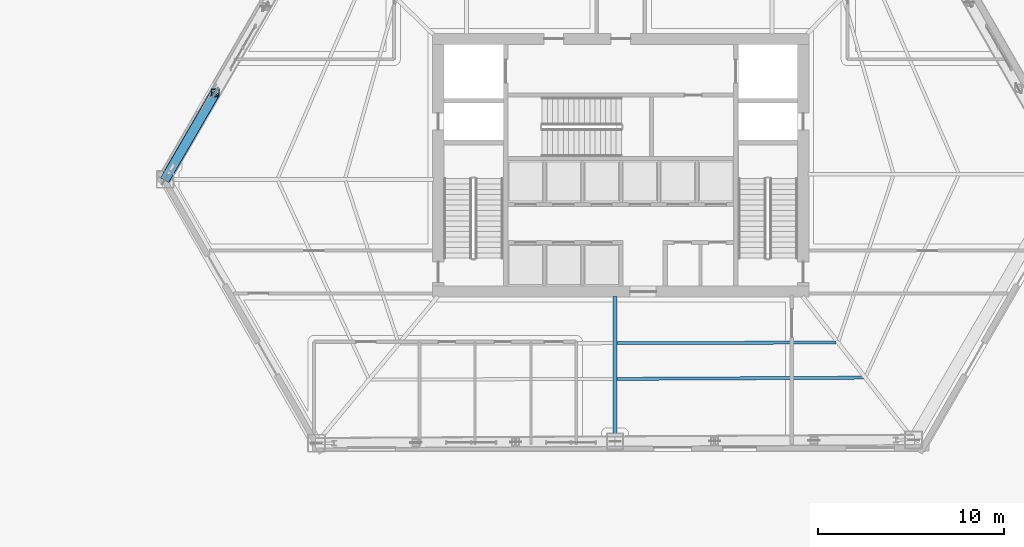
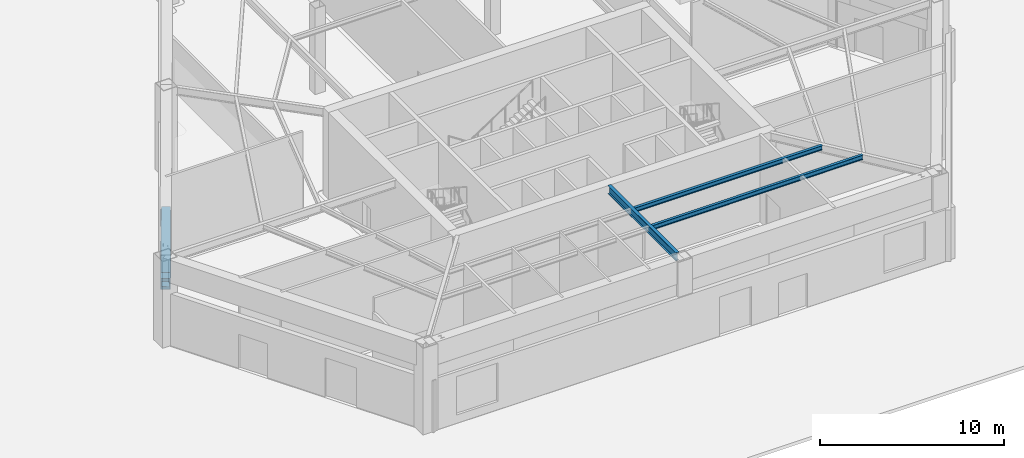
# One storey, part 5 of 20: 4 beams, 2 members.
"""IFC4 building model written with IfcOpenShell, lengths in metres."""

from ifc_helpers import new_model, si_unit, direction, frame, origin, origin_2d, place, context, subcontext, project, spatial, hollow_rectangle, i_section, extrude, material, material_profile, profile_set, type_object, element, save


model = new_model("IFC4")

# Units and contexts
model_context = context("Model", 3, precision=1e-05, world=origin(), true_north=direction((0.0, 1.0)))
body_context = subcontext(model_context, "Body", "Model", "MODEL_VIEW")
ifc_project = project(units=[si_unit("LENGTHUNIT", "METRE"), si_unit("AREAUNIT", "SQUARE_METRE"), si_unit("VOLUMEUNIT", "CUBIC_METRE"), si_unit("PLANEANGLEUNIT", "RADIAN"), si_unit("MASSUNIT", "GRAM", prefix="KILO")], contexts=[model_context])

# Site, building, storey
site_placement = place(None, origin())
site = spatial("IfcSite", under=ifc_project, at=site_placement, CompositionType="ELEMENT")
building_placement = place(site_placement, origin())
building = spatial("IfcBuilding", under=site, at=building_placement, Name="Kavelnor Concourse Tower", CompositionType="ELEMENT")
storey_placement = place(building_placement, origin())
storey = spatial("IfcBuildingStorey", under=building, at=storey_placement, Name="L00", CompositionType="ELEMENT", Elevation=0.0)

# Beams
ifc_material = material(Name="Steel Grade 350", Category="steel")
ifc_material_profile_1 = material_profile(ifc_material, i_section(OverallWidth=0.166015625, OverallDepth=0.306884765625, WebThickness=0.006591796875, FlangeThickness=0.01171875, at=origin_2d()), Name="310UB46")
ifc_profile_set_1 = profile_set([ifc_material_profile_1], Name="Steel Grade 350")
beam_type_1 = type_object("IfcBeamType", Name="BM-JOIST-310", PredefinedType="JOIST", material=ifc_profile_set_1)
beam_1_placement = place(storey_placement, frame((37.782958984375, 6.5244140625, 5.58642578125), z_axis=(0.999995630485, 0.002956181654, 0.0), x_axis=(-0.002956181654, 0.999995630485, 0.0)))
element("IfcBeam", 1, at=beam_1_placement, inside=storey, type_object=beam_type_1, Name="L00 Composite Floor Joist 03-1", PredefinedType="JOIST", context=body_context, shape_type="SweptSolid", body=[
    extrude(i_section(OverallWidth=0.166015625, OverallDepth=0.306884765625, WebThickness=0.006591796875, FlangeThickness=0.01171875, at=origin_2d()), origin(), (0.0, 0.0, 1.0), 11.809814453125),
])
beam_2_placement = place(storey_placement, frame((37.782958984375, 4.6005859375, 5.58642578125), z_axis=(0.999986830206, 0.005132193915, 0.0), x_axis=(-0.005132193915, 0.999986830206, 0.0)))
element("IfcBeam", 2, at=beam_2_placement, inside=storey, type_object=beam_type_1, Name="L00 Composite Floor Joist 03-2", PredefinedType="JOIST", context=body_context, shape_type="SweptSolid", body=[
    extrude(i_section(OverallWidth=0.166015625, OverallDepth=0.306884765625, WebThickness=0.006591796875, FlangeThickness=0.01171875, at=origin_2d()), origin(), (0.0, 0.0, 1.0), 13.272216796875),
])
ifc_material_profile_2 = material_profile(ifc_material, i_section(OverallWidth=0.208984375, OverallDepth=0.528076171875, WebThickness=0.009521484375, FlangeThickness=0.01318359375, at=origin_2d()), Name="530UB82")
ifc_profile_set_2 = profile_set([ifc_material_profile_2], Name="Steel Grade 350")
beam_type_2 = type_object("IfcBeamType", Name="BM-PRIMARY-530", PredefinedType="BEAM", material=ifc_profile_set_2)
beam_3_placement = place(storey_placement, frame((37.68505859375, 9.0400390625, 5.47607421875), z_axis=(0.0, -1.0, 0.0), x_axis=(1.0, 0.0, 0.0)))
element("IfcBeam", 3, at=beam_3_placement, inside=storey, type_object=beam_type_2, Name="L00 Primary Floor Girder MC-F1", PredefinedType="BEAM", context=body_context, shape_type="SweptSolid", body=[
    extrude(i_section(OverallWidth=0.208984375, OverallDepth=0.528076171875, WebThickness=0.009521484375, FlangeThickness=0.01318359375, at=origin_2d()), origin(), (0.0, 0.0, 1.0), 7.400146484375),
])
ifc_material_profile_3 = material_profile(ifc_material, hollow_rectangle(XDim=0.550048828125, YDim=0.75, WallThickness=0.034912109375, at=origin_2d()), Name="RHS 750x550x35")
ifc_profile_set_3 = profile_set([ifc_material_profile_3], Name="Steel Grade 350")
beam_type_3 = type_object("IfcBeamType", Name="BM-XFER-CHORD-750", PredefinedType="BEAM", material=ifc_profile_set_3)
beam_4_placement = place(storey_placement, frame((16.182373046875, 19.990966796875, 3.81494140625), z_axis=(-0.502371976263, -0.864651604674, 0.0), x_axis=(0.864651604674, -0.502371976263, 0.0)))
element("IfcBeam", 4, at=beam_4_placement, inside=storey, type_object=beam_type_3, Name="L00 Concourse Transfer Truss Bottom Chord F0-B5", PredefinedType="BEAM", context=body_context, shape_type="SweptSolid", body=[
    extrude(hollow_rectangle(XDim=0.550048828125, YDim=0.75, WallThickness=0.034912109375, at=origin_2d()), origin(), (0.0, 0.0, 1.0), 5.379638671875),
])

# Members
ifc_material_profile_4 = material_profile(ifc_material, hollow_rectangle(XDim=0.5, YDim=0.5, WallThickness=0.031982421875, at=origin_2d()), Name="SHS 500x500x32")
ifc_profile_set_4 = profile_set([ifc_material_profile_4], Name="Steel Grade 350")
member_type_1 = type_object("IfcMemberType", Name="MBR-XFER-DIAG-500", PredefinedType="BRACE", material=ifc_profile_set_4)
member_1_placement = place(storey_placement, frame((13.479736328125, 15.33935546875, 3.81494140625), z_axis=(0.49099059447, 0.845062673572, 0.211653759423), x_axis=(-0.864651604674, 0.502371976263, 0.0)))
element("IfcMember", 5, at=member_1_placement, inside=storey, type_object=member_type_1, Name="L00 Concourse Transfer Truss Diagonal F0-B5", PredefinedType="BRACE", context=body_context, shape_type="SweptSolid", body=[
    extrude(hollow_rectangle(XDim=0.5, YDim=0.5, WallThickness=0.031982421875, at=origin_2d()), origin(), (0.0, 0.0, 1.0), 5.50439453125),
])
ifc_material_profile_5 = material_profile(ifc_material, hollow_rectangle(XDim=0.419921875, YDim=0.419921875, WallThickness=0.028076171875, at=origin_2d()), Name="SHS 420x420x28")
ifc_profile_set_5 = profile_set([ifc_material_profile_5], Name="Steel Grade 350")
member_type_2 = type_object("IfcMemberType", Name="MBR-XFER-POST-420", PredefinedType="CHORD", material=ifc_profile_set_5)
member_2_placement = place(storey_placement, frame((16.182373046875, 19.990966796875, 3.81494140625), z_axis=(0.0, 0.0, 1.0), x_axis=(1.0, 0.0, 0.0)))
element("IfcMember", 6, at=member_2_placement, inside=storey, type_object=member_type_2, Name="L00 Concourse Transfer Truss Web Post F0-B5", PredefinedType="CHORD", context=body_context, shape_type="SweptSolid", body=[
    extrude(hollow_rectangle(XDim=0.419921875, YDim=0.419921875, WallThickness=0.028076171875, at=origin_2d()), origin(), (0.0, 0.0, 1.0), 1.1650390625),
])

save(model, "model.ifc")
